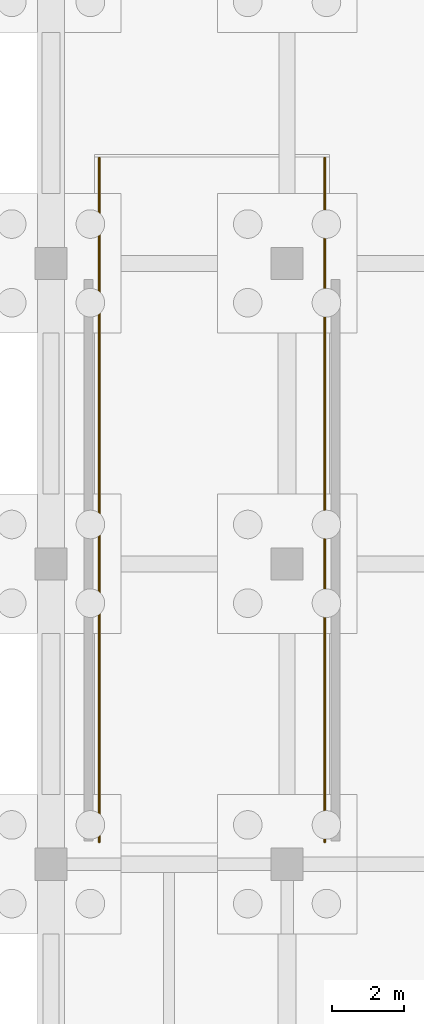
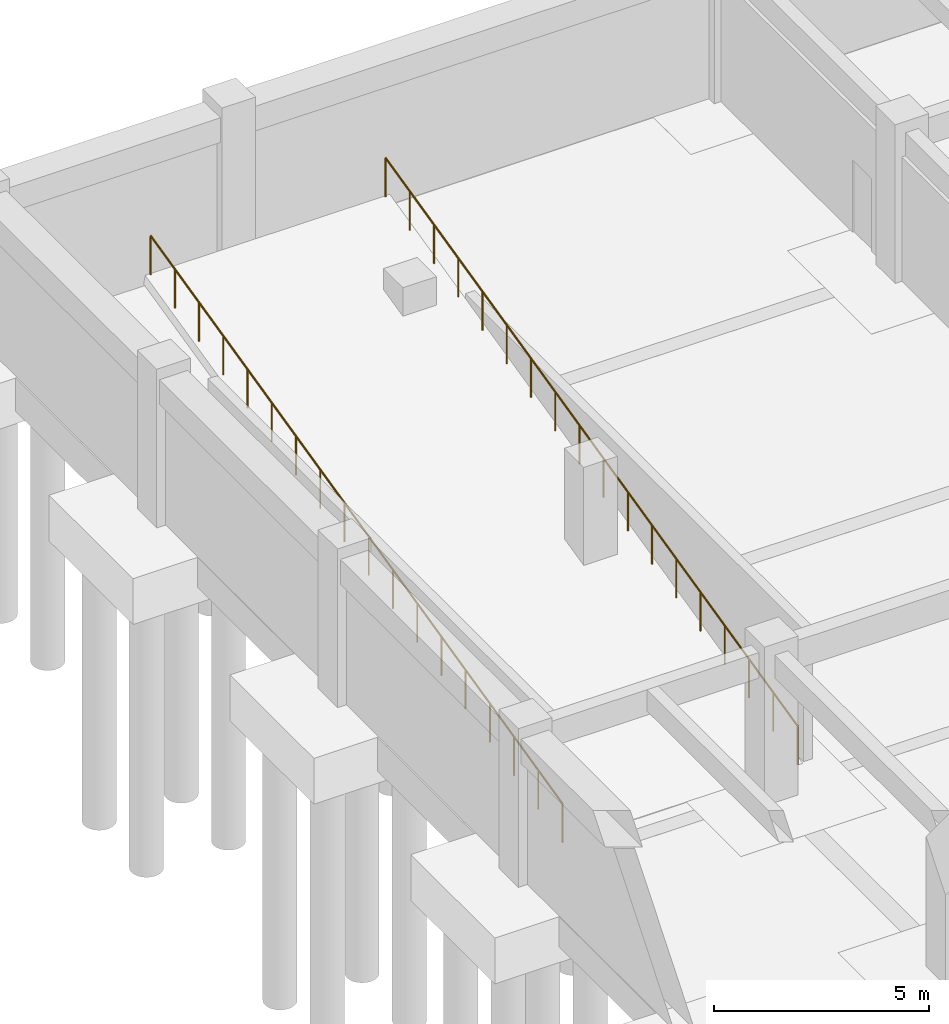
# One storey, part 26 of 28: 2 railings.
"""IFC4 building model written with IfcOpenShell, lengths in metres."""

import ifcopenshell
import ifcopenshell.guid

model = None  # the IFC model being written
_history = None  # IfcOwnerHistory: only IFC2X3 demands one
_inside = {}  # id of a spatial element -> (the spatial element, [elements in it])
_under = {}  # id of a project, library or spatial element -> (it, [spatial elements below it])
_declared = {}  # id of a project -> (the project, [libraries it declares])
_typed = {}  # id of a type object -> (the type object, [elements of that type])
_made_of = {}  # id of a material, layer set ... -> (it, [elements and type objects made of it])


def new_model(schema):
    """Start an empty IFC model of exactly this schema.

    Asked for "IFC4X3", IfcOpenShell would pick the latest addendum, in which some entities
    have other attributes; the version numbers below select the first issue.
    IFC2X3 requires an IfcOwnerHistory on every rooted entity: one is made here for all.
    """
    global model, _history
    if schema == "IFC4X3":
        model = ifcopenshell.file(schema_version=(4, 3, 0, 0))
    else:
        model = ifcopenshell.file(schema=schema)
    _inside.clear()
    _under.clear()
    _declared.clear()
    _typed.clear()
    _made_of.clear()
    _history = None
    if model.schema == "IFC2X3":
        org = make("IfcOrganization", Name="unknown")
        user = make(
            "IfcPersonAndOrganization",
            ThePerson=make("IfcPerson", FamilyName="unknown"),
            TheOrganization=org,
        )
        app = make(
            "IfcApplication",
            ApplicationDeveloper=org,
            Version="unknown",
            ApplicationFullName="unknown",
            ApplicationIdentifier="unknown",
        )
        _history = make(
            "IfcOwnerHistory",
            OwningUser=user,
            OwningApplication=app,
            ChangeAction="ADDED",
            CreationDate=0,
        )
    return model


def make(cls, **values):
    """One entity of the class cls with the attributes given. An attribute that is None is left unset."""
    return model.create_entity(
        cls, **{name: value for name, value in values.items() if value is not None}
    )


def rooted(cls, **values):
    """An entity with a GlobalId (a new one), such as an element, a storey or a relation."""
    return make(cls, GlobalId=ifcopenshell.guid.new(), OwnerHistory=_history, **values)


def si_unit(unit_type, name, prefix=None):
    """IfcSIUnit, for example si_unit("LENGTHUNIT", "METRE", prefix="MILLI")."""
    return make("IfcSIUnit", UnitType=unit_type, Prefix=prefix, Name=name)


def assignment(units):
    """IfcUnitAssignment: the units of a project."""
    return None if units is None else make("IfcUnitAssignment", Units=units)


def point(xyz):
    """IfcCartesianPoint."""
    return None if xyz is None else make("IfcCartesianPoint", Coordinates=xyz)


def direction(xyz):
    """IfcDirection."""
    return None if xyz is None else make("IfcDirection", DirectionRatios=xyz)


def frame(location, z_axis=None, x_axis=None):
    """IfcAxis2Placement3D, a coordinate frame: its origin and axes. An axis left out is left unset."""
    return make(
        "IfcAxis2Placement3D",
        Location=point(location),
        Axis=direction(z_axis),
        RefDirection=direction(x_axis),
    )


def frame_2d(location, x_axis=None):
    """IfcAxis2Placement2D, a coordinate frame in the plane: its origin and x axis."""
    return make(
        "IfcAxis2Placement2D", Location=point(location), RefDirection=direction(x_axis)
    )


def origin():
    """The frame at (0, 0, 0) with its axes left unset."""
    return frame((0.0, 0.0, 0.0))


def origin_2d():
    """The frame at (0, 0) in the plane with its x axis left unset."""
    return frame_2d((0.0, 0.0))


def place(relative_to, where):
    """IfcLocalPlacement: puts the frame where relative to a parent placement (None: the world)."""
    return make(
        "IfcLocalPlacement", PlacementRelTo=relative_to, RelativePlacement=where
    )


def context(
    kind, dimensions, precision=None, world=None, true_north=None, identifier=None
):
    """IfcGeometricRepresentationContext, for example the 3D "Model" context."""
    return make(
        "IfcGeometricRepresentationContext",
        ContextIdentifier=identifier,
        ContextType=kind,
        CoordinateSpaceDimension=dimensions,
        Precision=precision,
        WorldCoordinateSystem=world,
        TrueNorth=true_north,
    )


def subcontext(parent, identifier, kind, view, scale=None):
    """IfcGeometricRepresentationSubContext, for example "Body" below "Model"."""
    return make(
        "IfcGeometricRepresentationSubContext",
        ContextIdentifier=identifier,
        ContextType=kind,
        ParentContext=parent,
        TargetScale=scale,
        TargetView=view,
    )


def project(units=None, contexts=None):
    """IfcProject with its units and contexts."""
    return rooted(
        "IfcProject",
        Name="project",
        RepresentationContexts=contexts,
        UnitsInContext=assignment(units),
    )


def spatial(cls, under=None, at=None, **own):
    """A site, building, storey or space (cls), placed at a placement, below another one or the project."""
    s = rooted(cls, ObjectPlacement=at, **own)
    if under is not None:
        _under.setdefault(under.id(), (under, []))[1].append(s)
    return s


def profile(cls, at=None, kind="AREA", **sizes):
    """A parametric profile (cls). Its sizes go by their IFC names, for example OverallWidth=200.0."""
    return make(cls, ProfileType=kind, Position=at, **sizes)


def circle(**sizes):
    """IfcCircleProfileDef."""
    return profile("IfcCircleProfileDef", **sizes)


def extrude(swept, where, along, depth):
    """IfcExtrudedAreaSolid: the profile swept, set in the frame where, extruded along a direction by depth."""
    return make(
        "IfcExtrudedAreaSolid",
        SweptArea=swept,
        Position=where,
        ExtrudedDirection=direction(along),
        Depth=depth,
    )


def shape(context_of_items, identifier, shape_type, items):
    """IfcShapeRepresentation: the items that make up one representation, for example the "Body"."""
    return make(
        "IfcShapeRepresentation",
        ContextOfItems=context_of_items,
        RepresentationIdentifier=identifier,
        RepresentationType=shape_type,
        Items=items,
    )


def material(Name=None, Category=None):
    """IfcMaterial."""
    return make("IfcMaterial", Name=Name, Category=Category)


def made_of(thing, what):
    """Note that an element or type object is made of a material, layer set ...; save() writes the relation."""
    if what is not None:
        _made_of.setdefault(what.id(), (what, []))[1].append(thing)
    return thing


def type_object(cls, material=None, **own):
    """A type object (cls), such as IfcWallType, which elements share."""
    return made_of(rooted(cls, **own), material)


def element(
    cls,
    number,
    at=None,
    inside=None,
    cuts=None,
    type_object=None,
    material=None,
    context=None,
    identifier="Body",
    shape_type=None,
    held_by="IfcProductDefinitionShape",
    body=None,
    shapes=None,
    **own,
):
    """One element of the class cls, such as IfcWall. Its Tag is "e" and its number.

    at: its placement. inside: the storey or other place that contains it. cuts: it is an
    opening in that element (IfcRelVoidsElement). A single representation is given by context,
    identifier, shape_type and body (its items); several are given by shapes. held_by: the class
    of the entity that holds the representations. save() writes the other relations.
    """
    e = rooted(cls, Tag="e%d" % number, ObjectPlacement=at, **own)
    if body is not None:
        shapes = [shape(context, identifier, shape_type, body)]
    if shapes is not None:
        e.Representation = make(held_by, Representations=shapes)
    if inside is not None:
        _inside.setdefault(inside.id(), (inside, []))[1].append(e)
    if cuts is not None:
        rooted(
            "IfcRelVoidsElement", RelatingBuildingElement=cuts, RelatedOpeningElement=e
        )
    if type_object is not None:
        _typed.setdefault(type_object.id(), (type_object, []))[1].append(e)
    return made_of(e, material)


def aggregate(whole, parts):
    """IfcRelAggregates: a whole, such as a stair, and the parts it consists of."""
    return rooted("IfcRelAggregates", RelatingObject=whole, RelatedObjects=parts)


def save(model, path):
    """Write the relations noted so far, then the file.

    IfcRelAggregates (storeys below a building ...), IfcRelContainedInSpatialStructure (elements
    in a storey), IfcRelDefinesByType, IfcRelAssociatesMaterial and IfcRelDeclares: one each for
    every whole, place, type object, material and project.
    """
    for whole, parts in _under.values():
        aggregate(whole, parts)
    for where, things in _inside.values():
        rooted(
            "IfcRelContainedInSpatialStructure",
            RelatedElements=things,
            RelatingStructure=where,
        )
    for kind, things in _typed.values():
        rooted("IfcRelDefinesByType", RelatedObjects=things, RelatingType=kind)
    for what, things in _made_of.values():
        rooted("IfcRelAssociatesMaterial", RelatedObjects=things, RelatingMaterial=what)
    for by, libraries in _declared.values():
        rooted("IfcRelDeclares", RelatingContext=by, RelatedDefinitions=libraries)
    model.write(path)


model = new_model("IFC4")

# Units and contexts
model_context = context("Model", 3, precision=1e-05, world=origin(), true_north=direction((0.0, 1.0)))
body_context = subcontext(model_context, "Body", "Model", "MODEL_VIEW")
ifc_project = project(units=[si_unit("LENGTHUNIT", "METRE"), si_unit("AREAUNIT", "SQUARE_METRE"), si_unit("VOLUMEUNIT", "CUBIC_METRE"), si_unit("PLANEANGLEUNIT", "RADIAN"), si_unit("MASSUNIT", "GRAM", prefix="KILO")], contexts=[model_context])

# Site, building, storey
site_placement = place(None, origin())
site = spatial("IfcSite", under=ifc_project, at=site_placement, CompositionType="ELEMENT")
building_placement = place(site_placement, origin())
building = spatial("IfcBuilding", under=site, at=building_placement, Name="Miralva Faculty of Natural Sciences", CompositionType="ELEMENT")
storey_placement = place(building_placement, frame((0.0, 0.0, -4.5)))
storey = spatial("IfcBuildingStorey", under=building, at=storey_placement, Name="B1", CompositionType="ELEMENT", Elevation=-4.5)

# Railings
ifc_material = material(Name="Steel S355", Category="steel")
railing_type = type_object("IfcRailingType", Name="RL-GR01", PredefinedType="GUARDRAIL", material=ifc_material)
railing_1_placement = place(storey_placement, frame((4.35009765625, 92.419921875, 0.0)))
element("IfcRailing", 1, at=railing_1_placement, inside=storey, type_object=railing_type, Name="Car park ramp R1 W safety guard", PredefinedType="GUARDRAIL", context=body_context, shape_type="SweptSolid", body=[
    extrude(circle(Radius=0.02392578125, at=origin_2d()), frame((0.0, 0.0, 1.09619140625), z_axis=(0.0, 0.973430852287, 0.228981169128), x_axis=(-1.0, 0.0, 0.0)), (0.0, 0.0, 1.0), 19.65234375),
    extrude(circle(Radius=0.02099609375, at=origin_2d()), origin(), (0.0, 0.0, 1.0), 1.072021484375),
    extrude(circle(Radius=0.02099609375, at=origin_2d()), frame((0.0, 1.125244140625, 0.2646484375)), (0.0, 0.0, 1.0), 1.072021484375),
    extrude(circle(Radius=0.02099609375, at=origin_2d()), frame((0.0, 2.25048828125, 0.529296875)), (0.0, 0.0, 1.0), 1.072021484375),
    extrude(circle(Radius=0.02099609375, at=origin_2d()), frame((0.0, 3.3759765625, 0.794189453125)), (0.0, 0.0, 1.0), 1.072021484375),
    extrude(circle(Radius=0.02099609375, at=origin_2d()), frame((0.0, 4.501220703125, 1.058837890625)), (0.0, 0.0, 1.0), 1.072021484375),
    extrude(circle(Radius=0.02099609375, at=origin_2d()), frame((0.0, 5.62646484375, 1.323486328125)), (0.0, 0.0, 1.0), 1.072021484375),
    extrude(circle(Radius=0.02099609375, at=origin_2d()), frame((0.0, 6.751708984375, 1.588134765625)), (0.0, 0.0, 1.0), 1.072021484375),
    extrude(circle(Radius=0.02099609375, at=origin_2d()), frame((0.0, 7.877197265625, 1.85302734375)), (0.0, 0.0, 1.0), 1.072021484375),
    extrude(circle(Radius=0.02099609375, at=origin_2d()), frame((0.0, 9.00244140625, 2.11767578125)), (0.0, 0.0, 1.0), 1.072021484375),
    extrude(circle(Radius=0.02099609375, at=origin_2d()), frame((0.0, 10.127685546875, 2.38232421875)), (0.0, 0.0, 1.0), 1.072021484375),
    extrude(circle(Radius=0.02099609375, at=origin_2d()), frame((0.0, 11.2529296875, 2.64697265625)), (0.0, 0.0, 1.0), 1.072021484375),
    extrude(circle(Radius=0.02099609375, at=origin_2d()), frame((0.0, 12.37841796875, 2.911865234375)), (0.0, 0.0, 1.0), 1.072021484375),
    extrude(circle(Radius=0.02099609375, at=origin_2d()), frame((0.0, 13.503662109375, 3.176513671875)), (0.0, 0.0, 1.0), 1.072021484375),
    extrude(circle(Radius=0.02099609375, at=origin_2d()), frame((0.0, 14.62890625, 3.441162109375)), (0.0, 0.0, 1.0), 1.072021484375),
    extrude(circle(Radius=0.02099609375, at=origin_2d()), frame((0.0, 15.754150390625, 3.705810546875)), (0.0, 0.0, 1.0), 1.072021484375),
    extrude(circle(Radius=0.02099609375, at=origin_2d()), frame((0.0, 16.879638671875, 3.970703125)), (0.0, 0.0, 1.0), 1.072021484375),
    extrude(circle(Radius=0.02099609375, at=origin_2d()), frame((0.0, 18.0048828125, 4.2353515625)), (0.0, 0.0, 1.0), 1.072021484375),
    extrude(circle(Radius=0.02099609375, at=origin_2d()), frame((0.0, 19.130126953125, 4.5)), (0.0, 0.0, 1.0), 1.072021484375),
])
railing_2_placement = place(storey_placement, frame((10.64990234375, 92.419921875, 0.0)))
element("IfcRailing", 2, at=railing_2_placement, inside=storey, type_object=railing_type, Name="Car park ramp R1 E safety guard", PredefinedType="GUARDRAIL", context=body_context, shape_type="SweptSolid", body=[
    extrude(circle(Radius=0.02392578125, at=origin_2d()), frame((0.0, 0.0, 1.09619140625), z_axis=(0.0, 0.973430852287, 0.228981169128), x_axis=(-1.0, 0.0, 0.0)), (0.0, 0.0, 1.0), 19.65234375),
    extrude(circle(Radius=0.02099609375, at=origin_2d()), origin(), (0.0, 0.0, 1.0), 1.072021484375),
    extrude(circle(Radius=0.02099609375, at=origin_2d()), frame((0.0, 1.125244140625, 0.2646484375)), (0.0, 0.0, 1.0), 1.072021484375),
    extrude(circle(Radius=0.02099609375, at=origin_2d()), frame((0.0, 2.25048828125, 0.529296875)), (0.0, 0.0, 1.0), 1.072021484375),
    extrude(circle(Radius=0.02099609375, at=origin_2d()), frame((0.0, 3.3759765625, 0.794189453125)), (0.0, 0.0, 1.0), 1.072021484375),
    extrude(circle(Radius=0.02099609375, at=origin_2d()), frame((0.0, 4.501220703125, 1.058837890625)), (0.0, 0.0, 1.0), 1.072021484375),
    extrude(circle(Radius=0.02099609375, at=origin_2d()), frame((0.0, 5.62646484375, 1.323486328125)), (0.0, 0.0, 1.0), 1.072021484375),
    extrude(circle(Radius=0.02099609375, at=origin_2d()), frame((0.0, 6.751708984375, 1.588134765625)), (0.0, 0.0, 1.0), 1.072021484375),
    extrude(circle(Radius=0.02099609375, at=origin_2d()), frame((0.0, 7.877197265625, 1.85302734375)), (0.0, 0.0, 1.0), 1.072021484375),
    extrude(circle(Radius=0.02099609375, at=origin_2d()), frame((0.0, 9.00244140625, 2.11767578125)), (0.0, 0.0, 1.0), 1.072021484375),
    extrude(circle(Radius=0.02099609375, at=origin_2d()), frame((0.0, 10.127685546875, 2.38232421875)), (0.0, 0.0, 1.0), 1.072021484375),
    extrude(circle(Radius=0.02099609375, at=origin_2d()), frame((0.0, 11.2529296875, 2.64697265625)), (0.0, 0.0, 1.0), 1.072021484375),
    extrude(circle(Radius=0.02099609375, at=origin_2d()), frame((0.0, 12.37841796875, 2.911865234375)), (0.0, 0.0, 1.0), 1.072021484375),
    extrude(circle(Radius=0.02099609375, at=origin_2d()), frame((0.0, 13.503662109375, 3.176513671875)), (0.0, 0.0, 1.0), 1.072021484375),
    extrude(circle(Radius=0.02099609375, at=origin_2d()), frame((0.0, 14.62890625, 3.441162109375)), (0.0, 0.0, 1.0), 1.072021484375),
    extrude(circle(Radius=0.02099609375, at=origin_2d()), frame((0.0, 15.754150390625, 3.705810546875)), (0.0, 0.0, 1.0), 1.072021484375),
    extrude(circle(Radius=0.02099609375, at=origin_2d()), frame((0.0, 16.879638671875, 3.970703125)), (0.0, 0.0, 1.0), 1.072021484375),
    extrude(circle(Radius=0.02099609375, at=origin_2d()), frame((0.0, 18.0048828125, 4.2353515625)), (0.0, 0.0, 1.0), 1.072021484375),
    extrude(circle(Radius=0.02099609375, at=origin_2d()), frame((0.0, 19.130126953125, 4.5)), (0.0, 0.0, 1.0), 1.072021484375),
])

save(model, "model.ifc")
